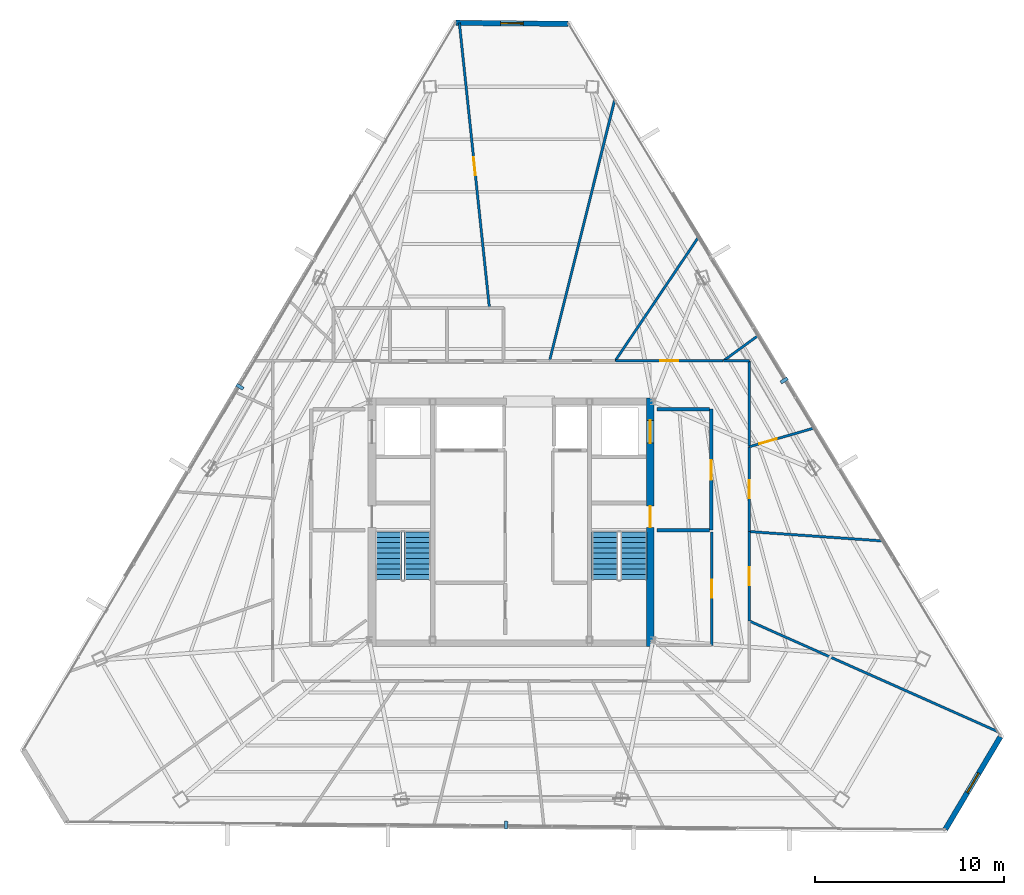
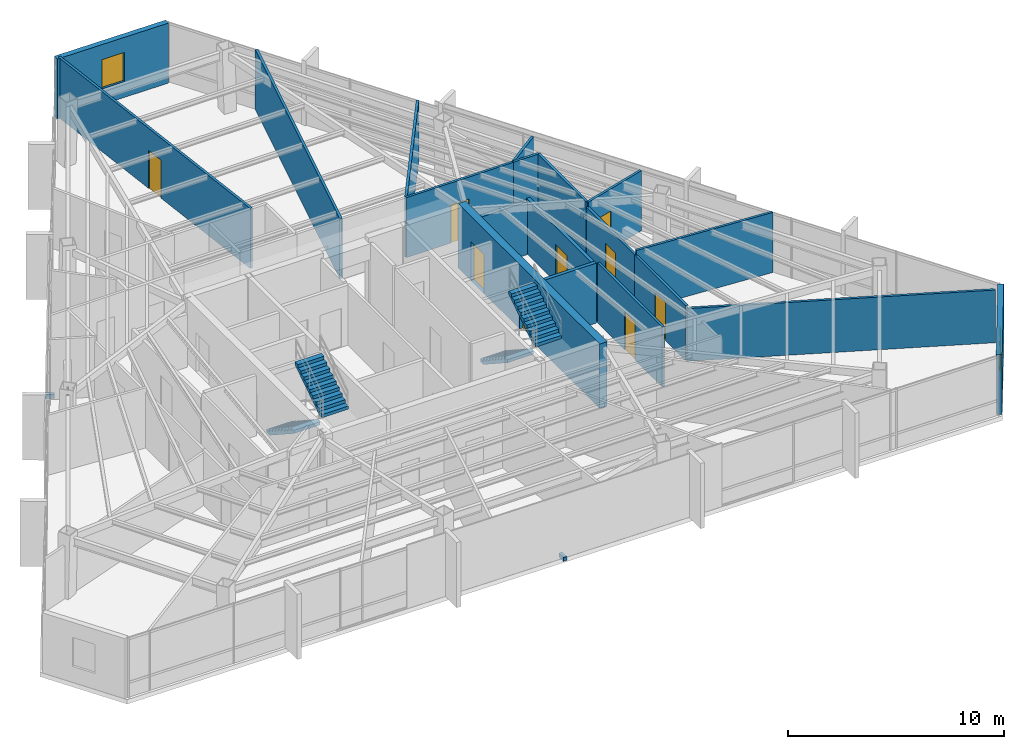
# One storey, part 43 of 46: 19 walls, 9 doors, 4 stair flights, 3 discrete accessories, 2 windows, 11 openings, 2 elements without a shape of their own.
"""IFC4 building model written with IfcOpenShell, lengths in metres."""

from ifc_helpers import new_model, si_unit, direction, frame, frame_2d, origin, origin_2d, place, context, subcontext, project, spatial, polyline, rectangle, outline, extrude, source, transform, mapped, material, layer, layer_set, type_object, type_shapes, element, fill, aggregate, save


model = new_model("IFC4")

# Units and contexts
model_context = context("Model", 3, precision=1e-05, world=origin(), true_north=direction((0.0, 1.0)))
body_context = subcontext(model_context, "Body", "Model", "MODEL_VIEW")
ifc_project = project(units=[si_unit("LENGTHUNIT", "METRE"), si_unit("AREAUNIT", "SQUARE_METRE"), si_unit("VOLUMEUNIT", "CUBIC_METRE"), si_unit("PLANEANGLEUNIT", "RADIAN"), si_unit("MASSUNIT", "GRAM", prefix="KILO")], contexts=[model_context])

# Site, building, storey
site_placement = place(None, origin())
site = spatial("IfcSite", under=ifc_project, at=site_placement, CompositionType="ELEMENT")
building_placement = place(site_placement, origin())
building = spatial("IfcBuilding", under=site, at=building_placement, Name="Caelisora Broadcast Tower", CompositionType="ELEMENT")
storey_placement = place(building_placement, frame((0.0, 0.0, 237.14990234375)))
storey = spatial("IfcBuildingStorey", under=building, at=storey_placement, Name="L62", CompositionType="ELEMENT", Elevation=237.14990234375)

# Wall, openings, doors
ifc_material_1 = material(Name="Concrete 40 MPa (AS 3600 N40)", Category="concrete")
ifc_layer_1 = layer(ifc_material_1, 0.39990234375, Name="Concrete 40 MPa (AS 3600 N40)")
ifc_layer_set_1 = layer_set([ifc_layer_1], Name="Concrete 40 MPa (AS 3600 N40)")
wall_type_1 = type_object("IfcWallType", Name="CW3", PredefinedType="SHEAR", material=ifc_layer_set_1)
wall_1_placement = place(storey_placement, frame((45.360107421875, 17.050048828125, 0.0), z_axis=(0.0, 0.0, 1.0), x_axis=(0.0, 1.0, 0.0)))
wall_1 = element("IfcWall", 1, at=wall_1_placement, inside=storey, type_object=wall_type_1, Name="L62 core shear wall CW3", PredefinedType="SHEAR", context=body_context, shape_type="SweptSolid", body=[
    extrude(rectangle(XDim=13.125, YDim=0.39990234375, at=frame_2d((6.5625, 0.0))), origin(), (0.0, 0.0, 1.0), 3.650146484375),
])
opening_1_placement = place(wall_1_placement, frame((6.300048828125, 0.0, 0.0)))
opening_1 = element("IfcOpeningElement", 2, at=opening_1_placement, cuts=wall_1, Name="Opening FD04", PredefinedType="OPENING", context=body_context, shape_type="SweptSolid", body=[
    extrude(rectangle(XDim=1.1201171875, YDim=2.14990234375, at=frame_2d((0.56005859375, 1.074951171875))), frame((0.0, 0.2119140625, 0.0), z_axis=(0.0, -1.0, 0.0), x_axis=(1.0, 0.0, 0.0)), (0.0, 0.0, 1.0), 0.423828125),
])
opening_2_placement = place(wall_1_placement, frame((10.75, 0.0, 0.0)))
opening_2 = element("IfcOpeningElement", 3, at=opening_2_placement, cuts=wall_1, Name="Opening LD04", PredefinedType="OPENING", context=body_context, shape_type="SweptSolid", body=[
    extrude(rectangle(XDim=1.199951171875, YDim=2.199951171875, at=frame_2d((0.60009765625, 1.10009765625))), frame((0.0, 0.2119140625, 0.0), z_axis=(0.0, -1.0, 0.0), x_axis=(1.0, 0.0, 0.0)), (0.0, 0.0, 1.0), 0.423828125),
])
ifc_material_2 = material(Name="Pressurised Fire-Isolated Stair Door", Category="steel")
door_type_1 = type_object("IfcDoorType", Name="FD04", OperationType="NOTDEFINED", PredefinedType="DOOR", material=ifc_material_2)
door_1_placement = place(opening_1_placement, origin())
door_1 = element("IfcDoor", 4, at=door_1_placement, inside=storey, type_object=door_type_1, Name="L62 door FD04 (L62-DR-ST2)", OperationType="SINGLE_SWING_RIGHT", OverallHeight=2.14990234375, OverallWidth=1.1201171875, PredefinedType="DOOR", context=body_context, shape_type="SweptSolid", body=[
    extrude(rectangle(XDim=1.1201171875, YDim=2.14990234375, at=frame_2d((0.56005859375, 1.074951171875))), frame((0.0, 0.02490234375, 0.0), z_axis=(0.0, -1.0, 0.0), x_axis=(1.0, 0.0, 0.0)), (0.0, 0.0, 1.0), 0.050048828125),
])
fill(opening_1, door_1)
ifc_material_3 = material(Name="Emergency Firefighting Lift Sliding Landing Door", Category="steel")
door_type_2 = type_object("IfcDoorType", Name="LD04", OperationType="NOTDEFINED", PredefinedType="DOOR", material=ifc_material_3)
door_2_placement = place(opening_2_placement, origin())
door_2 = element("IfcDoor", 5, at=door_2_placement, inside=storey, type_object=door_type_2, Name="L62 door LD04 (L62-LD-FFL2)", OperationType="SLIDING_TO_RIGHT", OverallHeight=2.199951171875, OverallWidth=1.199951171875, PredefinedType="DOOR", context=body_context, shape_type="SweptSolid", body=[
    extrude(rectangle(XDim=1.199951171875, YDim=2.199951171875, at=frame_2d((0.60009765625, 1.10009765625))), frame((0.0, 0.02490234375, 0.0), z_axis=(0.0, -1.0, 0.0), x_axis=(1.0, 0.0, 0.0)), (0.0, 0.0, 1.0), 0.050048828125),
])
fill(opening_2, door_2)

# Wall, opening, window
ifc_material_4 = material(Name="Insulated Terracotta Spandrel Wall System", Category="masonry")
ifc_layer_2 = layer(ifc_material_4, 0.280029296875, Name="Insulated Terracotta Spandrel Wall System")
ifc_layer_set_2 = layer_set([ifc_layer_2], Name="Insulated Terracotta Spandrel Wall System")
wall_type_2 = type_object("IfcWallType", Name="EW1", PredefinedType="STANDARD", material=ifc_layer_set_2)
wall_2_placement = place(storey_placement, frame((63.87060546875, 12.272216796875, 0.0), z_axis=(0.0, 0.0, 1.0), x_axis=(-0.510950256476, -0.85961028112, 0.0)))
wall_2 = element("IfcWall", 6, at=wall_2_placement, inside=storey, type_object=wall_type_2, Name="L62 exterior envelope wall EW1", PredefinedType="STANDARD", context=body_context, shape_type="SweptSolid", body=[
    extrude(rectangle(XDim=5.68798828125, YDim=0.280029296875, at=frame_2d((2.843994140625, 0.0))), origin(), (0.0, 0.0, 1.0), 3.400146484375),
])
opening_3_placement = place(wall_2_placement, frame((2.239990234375, 0.0, 0.89990234375)))
opening_3 = element("IfcOpeningElement", 7, at=opening_3_placement, cuts=wall_2, Name="Opening W03", PredefinedType="OPENING", context=body_context, shape_type="SweptSolid", body=[
    extrude(rectangle(XDim=1.199951171875, YDim=1.64990234375, at=frame_2d((0.60009765625, 0.824951171875))), frame((0.0, 0.152099609375, 0.0), z_axis=(0.0, -1.0, 0.0), x_axis=(1.0, 0.0, 0.0)), (0.0, 0.0, 1.0), 0.303955078125),
])
ifc_material_5 = material(Name="Double Glazed Corner Vision Window", Category="glass")
window_type = type_object("IfcWindowType", Name="W03", PartitioningType="SINGLE_PANEL", PredefinedType="WINDOW", material=ifc_material_5)
window_1_placement = place(opening_3_placement, origin())
window_1 = element("IfcWindow", 8, at=window_1_placement, inside=storey, type_object=window_type, Name="L62 window W03 (L62-WN-CH0)", OverallHeight=1.64990234375, OverallWidth=1.199951171875, PartitioningType="SINGLE_PANEL", PredefinedType="WINDOW", context=body_context, shape_type="SweptSolid", body=[
    extrude(rectangle(XDim=1.199951171875, YDim=1.64990234375, at=frame_2d((0.60009765625, 0.824951171875))), frame((0.0, 0.030029296875, 0.0), z_axis=(0.0, -1.0, 0.0), x_axis=(1.0, 0.0, 0.0)), (0.0, 0.0, 1.0), 0.06005859375),
])
fill(opening_3, window_1)

wall_3_placement = place(storey_placement, frame((35.087890625, 50.022705078125, 0.0), z_axis=(0.0, 0.0, 1.0), x_axis=(0.99996069628, -0.008865996524, 0.0)))
wall_3 = element("IfcWall", 9, at=wall_3_placement, inside=storey, type_object=wall_type_2, Name="L62 exterior envelope wall EW1", PredefinedType="STANDARD", context=body_context, shape_type="SweptSolid", body=[
    extrude(rectangle(XDim=5.92041015625, YDim=0.280029296875, at=frame_2d((2.960205078125, 0.0))), origin(), (0.0, 0.0, 1.0), 3.400146484375),
])
opening_4_placement = place(wall_3_placement, frame((2.360107421875, 0.0, 0.89990234375)))
opening_4 = element("IfcOpeningElement", 10, at=opening_4_placement, cuts=wall_3, Name="Opening W03", PredefinedType="OPENING", context=body_context, shape_type="SweptSolid", body=[
    extrude(rectangle(XDim=1.199951171875, YDim=1.64990234375, at=frame_2d((0.60009765625, 0.824951171875))), frame((0.0, 0.152099609375, 0.0), z_axis=(0.0, -1.0, 0.0), x_axis=(1.0, 0.0, 0.0)), (0.0, 0.0, 1.0), 0.303955078125),
])
window_2_placement = place(opening_4_placement, origin())
window_2 = element("IfcWindow", 11, at=window_2_placement, inside=storey, type_object=window_type, Name="L62 window W03 (L62-WN-CH8)", OverallHeight=1.64990234375, OverallWidth=1.199951171875, PartitioningType="SINGLE_PANEL", PredefinedType="WINDOW", context=body_context, shape_type="SweptSolid", body=[
    extrude(rectangle(XDim=1.199951171875, YDim=1.64990234375, at=frame_2d((0.60009765625, 0.824951171875))), frame((0.0, 0.030029296875, 0.0), z_axis=(0.0, -1.0, 0.0), x_axis=(1.0, 0.0, 0.0)), (0.0, 0.0, 1.0), 0.06005859375),
])
fill(opening_4, window_2)

# Wall, opening, door
ifc_material_6 = material(Name="Fire-Rated Gypsum Shaft and Compartment Wall", Category="gypsum")
ifc_layer_3 = layer(ifc_material_6, 0.179931640625, Name="Fire-Rated Gypsum Shaft and Compartment Wall")
ifc_layer_set_3 = layer_set([ifc_layer_3], Name="Fire-Rated Gypsum Shaft and Compartment Wall")
wall_type_3 = type_object("IfcWallType", Name="PW2", PredefinedType="PARTITIONING", material=ifc_layer_set_3)
wall_4_placement = place(storey_placement, frame((48.580078125, 23.199951171875, 0.0), z_axis=(0.0, 0.0, 1.0), x_axis=(0.0, 1.0, 0.0)))
wall_4 = element("IfcWall", 12, at=wall_4_placement, inside=storey, type_object=wall_type_3, Name="L62 fire compartment wall PW2", PredefinedType="PARTITIONING", context=body_context, shape_type="SweptSolid", body=[
    extrude(rectangle(XDim=6.400146484375, YDim=0.179931640625, at=frame_2d((3.2001953125, 0.0))), origin(), (0.0, 0.0, 1.0), 3.12890625),
])
opening_5_placement = place(wall_4_placement, frame((2.64990234375, 0.0, 0.0)))
opening_5 = element("IfcOpeningElement", 13, at=opening_5_placement, cuts=wall_4, Name="Opening FD02", PredefinedType="OPENING", context=body_context, shape_type="SweptSolid", body=[
    extrude(rectangle(XDim=1.050048828125, YDim=2.14990234375, at=frame_2d((0.52490234375, 1.074951171875))), frame((0.0, 0.10205078125, 0.0), z_axis=(0.0, -1.0, 0.0), x_axis=(1.0, 0.0, 0.0)), (0.0, 0.0, 1.0), 0.203857421875),
])
ifc_material_7 = material(Name="Single-Leaf Steel Fire Lobby Door", Category="steel")
door_type_3 = type_object("IfcDoorType", Name="FD02", OperationType="NOTDEFINED", PredefinedType="DOOR", material=ifc_material_7)
door_3_placement = place(opening_5_placement, origin())
door_3 = element("IfcDoor", 14, at=door_3_placement, inside=storey, type_object=door_type_3, Name="L62 door FD02 (L62-DR-P04D1)", OperationType="SINGLE_SWING_LEFT", OverallHeight=2.14990234375, OverallWidth=1.050048828125, PredefinedType="DOOR", context=body_context, shape_type="SweptSolid", body=[
    extrude(rectangle(XDim=1.050048828125, YDim=2.14990234375, at=frame_2d((0.52490234375, 1.074951171875))), frame((0.0, 0.02490234375, 0.0), z_axis=(0.0, -1.0, 0.0), x_axis=(1.0, 0.0, 0.0)), (0.0, 0.0, 1.0), 0.050048828125),
])
fill(opening_5, door_3)

# Walls
wall_5_placement = place(storey_placement, frame((45.719970703125, 23.199951171875, 0.0), z_axis=(0.0, 0.0, 1.0), x_axis=(1.0, 0.0, 0.0)))
element("IfcWall", 15, at=wall_5_placement, inside=storey, type_object=wall_type_3, Name="L62 fire compartment wall PW2", PredefinedType="PARTITIONING", context=body_context, shape_type="SweptSolid", body=[
    extrude(rectangle(XDim=2.760009765625, YDim=0.179931640625, at=frame_2d((1.3798828125, 0.0))), origin(), (0.0, 0.0, 1.0), 3.400146484375),
])
wall_6_placement = place(storey_placement, frame((45.719970703125, 29.60009765625, 0.0), z_axis=(0.0, 0.0, 1.0), x_axis=(1.0, 0.0, 0.0)))
element("IfcWall", 16, at=wall_6_placement, inside=storey, type_object=wall_type_3, Name="L62 fire compartment wall PW2", PredefinedType="PARTITIONING", context=body_context, shape_type="SweptSolid", body=[
    extrude(rectangle(XDim=2.760009765625, YDim=0.179931640625, at=frame_2d((1.3798828125, 0.0))), origin(), (0.0, 0.0, 1.0), 2.985107421875),
])

# Wall, opening, door
ifc_material_8 = material(Name="Acoustic Steel-Stud Plasterboard Partition", Category="gypsum")
ifc_layer_4 = layer(ifc_material_8, 0.1298828125, Name="Acoustic Steel-Stud Plasterboard Partition")
ifc_layer_set_4 = layer_set([ifc_layer_4], Name="Acoustic Steel-Stud Plasterboard Partition")
wall_type_4 = type_object("IfcWallType", Name="PW3", PredefinedType="PARTITIONING", material=ifc_layer_set_4)
wall_7_placement = place(storey_placement, frame((35.260009765625, 50.0263671875, 0.0), z_axis=(0.0, 0.0, 1.0), x_axis=(0.10485837101, -0.994487165342, 0.0)))
wall_7 = element("IfcWall", 17, at=wall_7_placement, inside=storey, type_object=wall_type_4, Name="L62 internal partition PW3", PredefinedType="PARTITIONING", context=body_context, shape_type="SweptSolid", body=[
    extrude(rectangle(XDim=15.15478515625, YDim=0.1298828125, at=frame_2d((7.577392578125, 0.0))), origin(), (0.0, 0.0, 1.0), 3.400146484375),
])
opening_6_placement = place(wall_7_placement, frame((7.14501953125, 0.0, 0.0)))
opening_6 = element("IfcOpeningElement", 18, at=opening_6_placement, cuts=wall_7, Name="Opening D01", PredefinedType="OPENING", context=body_context, shape_type="SweptSolid", body=[
    extrude(rectangle(XDim=0.9599609375, YDim=2.14990234375, at=frame_2d((0.47998046875, 1.074951171875))), frame((0.0, 0.076904296875, 0.0), z_axis=(0.0, -1.0, 0.0), x_axis=(1.0, 0.0, 0.0)), (0.0, 0.0, 1.0), 0.15380859375),
])
ifc_material_9 = material(Name="Solid-Core Timber Acoustic Office Door", Category="wood")
door_type_4 = type_object("IfcDoorType", Name="D01", OperationType="NOTDEFINED", PredefinedType="DOOR", material=ifc_material_9)
door_4_placement = place(opening_6_placement, origin())
door_4 = element("IfcDoor", 19, at=door_4_placement, inside=storey, type_object=door_type_4, Name="L62 door D01 (L62-DR-P27D1)", OperationType="SINGLE_SWING_RIGHT", OverallHeight=2.14990234375, OverallWidth=0.9599609375, PredefinedType="DOOR", context=body_context, shape_type="SweptSolid", body=[
    extrude(rectangle(XDim=0.9599609375, YDim=2.14990234375, at=frame_2d((0.47998046875, 1.074951171875))), frame((0.0, 0.02490234375, 0.0), z_axis=(0.0, -1.0, 0.0), x_axis=(1.0, 0.0, 0.0)), (0.0, 0.0, 1.0), 0.050048828125),
])
fill(opening_6, door_4)

# Walls
wall_8_placement = place(storey_placement, frame((50.60498046875, 18.387939453125, 0.0), z_axis=(0.0, 0.0, 1.0), x_axis=(0.913582532036, -0.406653362409, 0.0)))
element("IfcWall", 20, at=wall_8_placement, inside=storey, type_object=wall_type_4, Name="L62 internal partition PW3", PredefinedType="PARTITIONING", context=body_context, shape_type="SweptSolid", body=[
    extrude(rectangle(XDim=14.38427734375, YDim=0.1298828125, at=frame_2d((7.192138671875, 0.0))), origin(), (0.0, 0.0, 1.0), 2.985107421875),
])
wall_9_placement = place(storey_placement, frame((40.031005859375, 32.155029296875, 0.0), z_axis=(0.0, 0.0, 1.0), x_axis=(0.242224699254, 0.970220178656, 0.0)))
element("IfcWall", 21, at=wall_9_placement, inside=storey, type_object=wall_type_4, Name="L62 internal partition PW3", PredefinedType="PARTITIONING", context=body_context, shape_type="SweptSolid", body=[
    extrude(rectangle(XDim=14.2265625, YDim=0.1298828125, at=frame_2d((7.11328125, 0.0))), origin(), (0.0, 0.0, 1.0), 3.400146484375),
])
wall_10_placement = place(storey_placement, frame((43.5029296875, 32.154052734375, 0.0), z_axis=(0.0, 0.0, 1.0), x_axis=(0.558435135579, 0.829548189891, 0.0)))
element("IfcWall", 22, at=wall_10_placement, inside=storey, type_object=wall_type_4, Name="L62 internal partition PW3", PredefinedType="PARTITIONING", context=body_context, shape_type="SweptSolid", body=[
    extrude(rectangle(XDim=7.8623046875, YDim=0.1298828125, at=frame_2d((3.93115234375, 0.0))), origin(), (0.0, 0.0, 1.0), 3.400146484375),
])
wall_11_placement = place(storey_placement, frame((50.60498046875, 23.1201171875, 0.0), z_axis=(0.0, 0.0, 1.0), x_axis=(0.997552536432, -0.069920934339, 0.0)))
element("IfcWall", 23, at=wall_11_placement, inside=storey, type_object=wall_type_4, Name="L62 internal partition PW3", PredefinedType="PARTITIONING", context=body_context, shape_type="SweptSolid", body=[
    extrude(rectangle(XDim=7.039306640625, YDim=0.1298828125, at=frame_2d((3.51953125, 0.0))), origin(), (0.0, 0.0, 1.0), 3.400146484375),
])

# Wall, opening, door
wall_12_placement = place(storey_placement, frame((48.60009765625, 17.10498046875, 0.0), z_axis=(0.0, 0.0, 1.0), x_axis=(0.0, 1.0, 0.0)))
wall_12 = element("IfcWall", 24, at=wall_12_placement, inside=storey, type_object=wall_type_4, Name="L62 internal partition PW3", PredefinedType="PARTITIONING", context=body_context, shape_type="SweptSolid", body=[
    extrude(rectangle(XDim=6.0, YDim=0.1298828125, at=frame_2d((3.0, 0.0))), origin(), (0.0, 0.0, 1.0), 3.400146484375),
])
opening_7_placement = place(wall_12_placement, frame((2.52001953125, 0.0, 0.0)))
opening_7 = element("IfcOpeningElement", 25, at=opening_7_placement, cuts=wall_12, Name="Opening D01", PredefinedType="OPENING", context=body_context, shape_type="SweptSolid", body=[
    extrude(rectangle(XDim=0.9599609375, YDim=2.14990234375, at=frame_2d((0.47998046875, 1.074951171875))), frame((0.0, 0.076904296875, 0.0), z_axis=(0.0, -1.0, 0.0), x_axis=(1.0, 0.0, 0.0)), (0.0, 0.0, 1.0), 0.15380859375),
])
door_5_placement = place(opening_7_placement, origin())
door_5 = element("IfcDoor", 26, at=door_5_placement, inside=storey, type_object=door_type_4, Name="L62 door D01 (L62-DR-P44D1)", OperationType="SINGLE_SWING_RIGHT", OverallHeight=2.14990234375, OverallWidth=0.9599609375, PredefinedType="DOOR", context=body_context, shape_type="SweptSolid", body=[
    extrude(rectangle(XDim=0.9599609375, YDim=2.14990234375, at=frame_2d((0.47998046875, 1.074951171875))), frame((0.0, 0.02490234375, 0.0), z_axis=(0.0, -1.0, 0.0), x_axis=(1.0, 0.0, 0.0)), (0.0, 0.0, 1.0), 0.050048828125),
])
fill(opening_7, door_5)

wall_13_placement = place(storey_placement, frame((43.5048828125, 32.14990234375, 0.0), z_axis=(0.0, 0.0, 1.0), x_axis=(1.0, 0.0, 0.0)))
wall_13 = element("IfcWall", 27, at=wall_13_placement, inside=storey, type_object=wall_type_4, Name="L62 internal partition PW3", PredefinedType="PARTITIONING", context=body_context, shape_type="SweptSolid", body=[
    extrude(rectangle(XDim=5.710205078125, YDim=0.1298828125, at=frame_2d((2.85498046875, 0.0))), origin(), (0.0, 0.0, 1.0), 3.400146484375),
])
opening_8_placement = place(wall_13_placement, frame((2.375, 0.0, 0.0)))
opening_8 = element("IfcOpeningElement", 28, at=opening_8_placement, cuts=wall_13, Name="Opening D01", PredefinedType="OPENING", context=body_context, shape_type="SweptSolid", body=[
    extrude(rectangle(XDim=0.9599609375, YDim=2.14990234375, at=frame_2d((0.47998046875, 1.074951171875))), frame((0.0, 0.076904296875, 0.0), z_axis=(0.0, -1.0, 0.0), x_axis=(1.0, 0.0, 0.0)), (0.0, 0.0, 1.0), 0.15380859375),
])
door_6_placement = place(opening_8_placement, origin())
door_6 = element("IfcDoor", 29, at=door_6_placement, inside=storey, type_object=door_type_4, Name="L62 door D01 (L62-DR-P45D1)", OperationType="SINGLE_SWING_LEFT", OverallHeight=2.14990234375, OverallWidth=0.9599609375, PredefinedType="DOOR", context=body_context, shape_type="SweptSolid", body=[
    extrude(rectangle(XDim=0.9599609375, YDim=2.14990234375, at=frame_2d((0.47998046875, 1.074951171875))), frame((0.0, 0.02490234375, 0.0), z_axis=(0.0, -1.0, 0.0), x_axis=(1.0, 0.0, 0.0)), (0.0, 0.0, 1.0), 0.050048828125),
])
fill(opening_8, door_6)

wall_14_placement = place(storey_placement, frame((50.60009765625, 18.39501953125, 0.0), z_axis=(0.0, 0.0, 1.0), x_axis=(0.0, 1.0, 0.0)))
wall_14 = element("IfcWall", 30, at=wall_14_placement, inside=storey, type_object=wall_type_4, Name="L62 internal partition PW3", PredefinedType="PARTITIONING", context=body_context, shape_type="SweptSolid", body=[
    extrude(rectangle(XDim=4.719970703125, YDim=0.1298828125, at=frame_2d((2.35986328125, 0.0))), origin(), (0.0, 0.0, 1.0), 3.12890625),
])
opening_9_placement = place(wall_14_placement, frame((1.8798828125, 0.0, 0.0)))
opening_9 = element("IfcOpeningElement", 31, at=opening_9_placement, cuts=wall_14, Name="Opening D01", PredefinedType="OPENING", context=body_context, shape_type="SweptSolid", body=[
    extrude(rectangle(XDim=0.9599609375, YDim=2.14990234375, at=frame_2d((0.47998046875, 1.074951171875))), frame((0.0, 0.076904296875, 0.0), z_axis=(0.0, -1.0, 0.0), x_axis=(1.0, 0.0, 0.0)), (0.0, 0.0, 1.0), 0.15380859375),
])
door_7_placement = place(opening_9_placement, origin())
door_7 = element("IfcDoor", 32, at=door_7_placement, inside=storey, type_object=door_type_4, Name="L62 door D01 (L62-DR-P49D1)", OperationType="SINGLE_SWING_RIGHT", OverallHeight=2.14990234375, OverallWidth=0.9599609375, PredefinedType="DOOR", context=body_context, shape_type="SweptSolid", body=[
    extrude(rectangle(XDim=0.9599609375, YDim=2.14990234375, at=frame_2d((0.47998046875, 1.074951171875))), frame((0.0, 0.02490234375, 0.0), z_axis=(0.0, -1.0, 0.0), x_axis=(1.0, 0.0, 0.0)), (0.0, 0.0, 1.0), 0.050048828125),
])
fill(opening_9, door_7)

# Wall
wall_15_placement = place(storey_placement, frame((50.60009765625, 27.614990234375, 0.0), z_axis=(0.0, 0.0, 1.0), x_axis=(0.0, 1.0, 0.0)))
element("IfcWall", 33, at=wall_15_placement, inside=storey, type_object=wall_type_4, Name="L62 internal partition PW3", PredefinedType="PARTITIONING", context=body_context, shape_type="SweptSolid", body=[
    extrude(rectangle(XDim=4.530029296875, YDim=0.1298828125, at=frame_2d((2.26513671875, 0.0))), origin(), (0.0, 0.0, 1.0), 3.400146484375),
])

# Wall, opening, door
wall_16_placement = place(storey_placement, frame((50.60009765625, 23.125, 0.0), z_axis=(0.0, 0.0, 1.0), x_axis=(0.0, 1.0, 0.0)))
wall_16 = element("IfcWall", 34, at=wall_16_placement, inside=storey, type_object=wall_type_4, Name="L62 internal partition PW3", PredefinedType="PARTITIONING", context=body_context, shape_type="SweptSolid", body=[
    extrude(rectangle(XDim=4.47998046875, YDim=0.1298828125, at=frame_2d((2.239990234375, 0.0))), origin(), (0.0, 0.0, 1.0), 3.12890625),
])
opening_10_placement = place(wall_16_placement, frame((1.760009765625, 0.0, 0.0)))
opening_10 = element("IfcOpeningElement", 35, at=opening_10_placement, cuts=wall_16, Name="Opening D01", PredefinedType="OPENING", context=body_context, shape_type="SweptSolid", body=[
    extrude(rectangle(XDim=0.9599609375, YDim=2.14990234375, at=frame_2d((0.47998046875, 1.074951171875))), frame((0.0, 0.076904296875, 0.0), z_axis=(0.0, -1.0, 0.0), x_axis=(1.0, 0.0, 0.0)), (0.0, 0.0, 1.0), 0.15380859375),
])
door_8_placement = place(opening_10_placement, origin())
door_8 = element("IfcDoor", 36, at=door_8_placement, inside=storey, type_object=door_type_4, Name="L62 door D01 (L62-DR-P52D1)", OperationType="SINGLE_SWING_RIGHT", OverallHeight=2.14990234375, OverallWidth=0.9599609375, PredefinedType="DOOR", context=body_context, shape_type="SweptSolid", body=[
    extrude(rectangle(XDim=0.9599609375, YDim=2.14990234375, at=frame_2d((0.47998046875, 1.074951171875))), frame((0.0, 0.02490234375, 0.0), z_axis=(0.0, -1.0, 0.0), x_axis=(1.0, 0.0, 0.0)), (0.0, 0.0, 1.0), 0.050048828125),
])
fill(opening_10, door_8)

wall_17_placement = place(storey_placement, frame((50.60498046875, 27.611083984375, 0.0), z_axis=(0.0, 0.0, 1.0), x_axis=(0.960781936219, 0.277305014442, 0.0)))
wall_17 = element("IfcWall", 37, at=wall_17_placement, inside=storey, type_object=wall_type_4, Name="L62 internal partition PW3", PredefinedType="PARTITIONING", context=body_context, shape_type="SweptSolid", body=[
    extrude(rectangle(XDim=3.542724609375, YDim=0.1298828125, at=frame_2d((1.771484375, 0.0))), origin(), (0.0, 0.0, 1.0), 3.400146484375),
])
opening_11_placement = place(wall_17_placement, frame((0.5400390625, 0.0, 0.0)))
opening_11 = element("IfcOpeningElement", 38, at=opening_11_placement, cuts=wall_17, Name="Opening D01", PredefinedType="OPENING", context=body_context, shape_type="SweptSolid", body=[
    extrude(rectangle(XDim=0.9599609375, YDim=2.14990234375, at=frame_2d((0.47998046875, 1.074951171875))), frame((0.0, 0.076904296875, 0.0), z_axis=(0.0, -1.0, 0.0), x_axis=(1.0, 0.0, 0.0)), (0.0, 0.0, 1.0), 0.15380859375),
])
door_9_placement = place(opening_11_placement, origin())
door_9 = element("IfcDoor", 39, at=door_9_placement, inside=storey, type_object=door_type_4, Name="L62 door D01 (L62-DR-P55D1)", OperationType="SINGLE_SWING_LEFT", OverallHeight=2.14990234375, OverallWidth=0.9599609375, PredefinedType="DOOR", context=body_context, shape_type="SweptSolid", body=[
    extrude(rectangle(XDim=0.9599609375, YDim=2.14990234375, at=frame_2d((0.47998046875, 1.074951171875))), frame((0.0, 0.02490234375, 0.0), z_axis=(0.0, -1.0, 0.0), x_axis=(1.0, 0.0, 0.0)), (0.0, 0.0, 1.0), 0.050048828125),
])
fill(opening_11, door_9)

# Walls
wall_18_placement = place(storey_placement, frame((49.22412109375, 32.153076171875, 0.0), z_axis=(0.0, 0.0, 1.0), x_axis=(0.809138937837, 0.587617374893, 0.0)))
element("IfcWall", 40, at=wall_18_placement, inside=storey, type_object=wall_type_4, Name="L62 internal partition PW3", PredefinedType="PARTITIONING", context=body_context, shape_type="SweptSolid", body=[
    extrude(rectangle(XDim=2.252685546875, YDim=0.1298828125, at=frame_2d((1.12646484375, 0.0))), origin(), (0.0, 0.0, 1.0), 3.400146484375),
])
wall_19_placement = place(storey_placement, frame((50.594970703125, 32.14990234375, 0.0), z_axis=(0.0, 0.0, 1.0), x_axis=(-1.0, 0.0, 0.0)))
element("IfcWall", 41, at=wall_19_placement, inside=storey, type_object=wall_type_4, Name="L62 internal partition PW3", PredefinedType="PARTITIONING", context=body_context, shape_type="SweptSolid", body=[
    extrude(rectangle(XDim=1.369873046875, YDim=0.1298828125, at=frame_2d((0.68505859375, 0.0))), origin(), (0.0, 0.0, 1.0), 3.400146484375),
])

# Stair, stair flights
stair_type_1 = type_object("IfcStairType", Name="ST-1", PredefinedType="HALF_TURN_STAIR", material=ifc_material_1)
stair_1_placement = place(storey_placement, origin())
stair_1 = element("IfcStair", 42, at=stair_1_placement, inside=storey, type_object=stair_type_1, Name="L62 West Fire-Isolated Tower Stair", PredefinedType="HALF_TURN_STAIR")
stair_flight_type = type_object("IfcStairFlightType", Name="STF-4", PredefinedType="STRAIGHT", material=ifc_material_1)
stair_flight_1_placement = place(storey_placement, frame((31.52001953125, 23.10009765625, 0.0), z_axis=(0.0, 0.0, 1.0), x_axis=(0.0, -1.0, 0.0)))
stair_flight_1 = element("IfcStairFlight", 43, at=stair_flight_1_placement, type_object=stair_flight_type, Name="ST-1 flight 1", NumberOfRisers=10, NumberOfTreads=9, PredefinedType="STRAIGHT", RiserHeight=0.1825, TreadLength=0.28, context=body_context, shape_type="SweptSolid", body=[
    extrude(outline(polyline([(0.0, 0.0), (0.0, 0.1826171875), (0.280029296875, 0.1826171875), (0.280029296875, 0.364990234375), (0.56005859375, 0.364990234375), (0.56005859375, 0.547607421875), (0.840087890625, 0.547607421875), (0.840087890625, 0.72998046875), (1.1201171875, 0.72998046875), (1.1201171875, 0.91259765625), (1.39990234375, 0.91259765625), (1.39990234375, 1.094970703125), (1.679931640625, 1.094970703125), (1.679931640625, 1.277587890625), (1.9599609375, 1.277587890625), (1.9599609375, 1.4599609375), (2.239990234375, 1.4599609375), (2.239990234375, 1.642578125), (2.52001953125, 1.642578125), (2.52001953125, 1.824951171875), (2.52001953125, 1.463623046875), (0.2744140625, 0.0), (0.0, 0.0)])), frame((0.0, 0.699951171875, 0.0), z_axis=(0.0, -1.0, 0.0), x_axis=(1.0, 0.0, 0.0)), (0.0, 0.0, 1.0), 1.39990234375),
])
stair_flight_2_placement = place(storey_placement, frame((33.0400390625, 20.580078125, 1.8251953125), z_axis=(0.0, 0.0, 1.0), x_axis=(0.0, 1.0, 0.0)))
stair_flight_2 = element("IfcStairFlight", 44, at=stair_flight_2_placement, type_object=stair_flight_type, Name="ST-1 flight 2", NumberOfRisers=10, NumberOfTreads=9, PredefinedType="STRAIGHT", RiserHeight=0.1825, TreadLength=0.28, context=body_context, shape_type="SweptSolid", body=[
    extrude(outline(polyline([(0.0, 0.0), (0.0, 0.1826171875), (0.280029296875, 0.1826171875), (0.280029296875, 0.364990234375), (0.56005859375, 0.364990234375), (0.56005859375, 0.547607421875), (0.840087890625, 0.547607421875), (0.840087890625, 0.72998046875), (1.1201171875, 0.72998046875), (1.1201171875, 0.91259765625), (1.39990234375, 0.91259765625), (1.39990234375, 1.094970703125), (1.679931640625, 1.094970703125), (1.679931640625, 1.277587890625), (1.9599609375, 1.277587890625), (1.9599609375, 1.4599609375), (2.239990234375, 1.4599609375), (2.239990234375, 1.642578125), (2.52001953125, 1.642578125), (2.52001953125, 1.824951171875), (2.52001953125, 1.463623046875), (0.2744140625, 0.0), (0.0, 0.0)])), frame((0.0, 0.699951171875, 0.0), z_axis=(0.0, -1.0, 0.0), x_axis=(1.0, 0.0, 0.0)), (0.0, 0.0, 1.0), 1.39990234375),
])
aggregate(stair_1, [stair_flight_1, stair_flight_2])

stair_type_2 = type_object("IfcStairType", Name="ST-2", PredefinedType="HALF_TURN_STAIR", material=ifc_material_1)
stair_2_placement = place(storey_placement, origin())
stair_2 = element("IfcStair", 45, at=stair_2_placement, inside=storey, type_object=stair_type_2, Name="L62 East Fire-Isolated Tower Stair", PredefinedType="HALF_TURN_STAIR")
stair_flight_3_placement = place(storey_placement, frame((42.9599609375, 23.10009765625, 0.0), z_axis=(0.0, 0.0, 1.0), x_axis=(0.0, -1.0, 0.0)))
stair_flight_3 = element("IfcStairFlight", 46, at=stair_flight_3_placement, type_object=stair_flight_type, Name="ST-2 flight 1", NumberOfRisers=10, NumberOfTreads=9, PredefinedType="STRAIGHT", RiserHeight=0.1825, TreadLength=0.28, context=body_context, shape_type="SweptSolid", body=[
    extrude(outline(polyline([(0.0, 0.0), (0.0, 0.1826171875), (0.280029296875, 0.1826171875), (0.280029296875, 0.364990234375), (0.56005859375, 0.364990234375), (0.56005859375, 0.547607421875), (0.840087890625, 0.547607421875), (0.840087890625, 0.72998046875), (1.1201171875, 0.72998046875), (1.1201171875, 0.91259765625), (1.39990234375, 0.91259765625), (1.39990234375, 1.094970703125), (1.679931640625, 1.094970703125), (1.679931640625, 1.277587890625), (1.9599609375, 1.277587890625), (1.9599609375, 1.4599609375), (2.239990234375, 1.4599609375), (2.239990234375, 1.642578125), (2.52001953125, 1.642578125), (2.52001953125, 1.824951171875), (2.52001953125, 1.463623046875), (0.2744140625, 0.0), (0.0, 0.0)])), frame((0.0, 0.699951171875, 0.0), z_axis=(0.0, -1.0, 0.0), x_axis=(1.0, 0.0, 0.0)), (0.0, 0.0, 1.0), 1.39990234375),
])
stair_flight_4_placement = place(storey_placement, frame((44.47998046875, 20.580078125, 1.8251953125), z_axis=(0.0, 0.0, 1.0), x_axis=(0.0, 1.0, 0.0)))
stair_flight_4 = element("IfcStairFlight", 47, at=stair_flight_4_placement, type_object=stair_flight_type, Name="ST-2 flight 2", NumberOfRisers=10, NumberOfTreads=9, PredefinedType="STRAIGHT", RiserHeight=0.1825, TreadLength=0.28, context=body_context, shape_type="SweptSolid", body=[
    extrude(outline(polyline([(0.0, 0.0), (0.0, 0.1826171875), (0.280029296875, 0.1826171875), (0.280029296875, 0.364990234375), (0.56005859375, 0.364990234375), (0.56005859375, 0.547607421875), (0.840087890625, 0.547607421875), (0.840087890625, 0.72998046875), (1.1201171875, 0.72998046875), (1.1201171875, 0.91259765625), (1.39990234375, 0.91259765625), (1.39990234375, 1.094970703125), (1.679931640625, 1.094970703125), (1.679931640625, 1.277587890625), (1.9599609375, 1.277587890625), (1.9599609375, 1.4599609375), (2.239990234375, 1.4599609375), (2.239990234375, 1.642578125), (2.52001953125, 1.642578125), (2.52001953125, 1.824951171875), (2.52001953125, 1.463623046875), (0.2744140625, 0.0), (0.0, 0.0)])), frame((0.0, 0.699951171875, 0.0), z_axis=(0.0, -1.0, 0.0), x_axis=(1.0, 0.0, 0.0)), (0.0, 0.0, 1.0), 1.39990234375),
])
aggregate(stair_2, [stair_flight_3, stair_flight_4])

# Discrete accessories
ifc_material_10 = material(Name="Steel Grade 350 (AS/NZS 3679.1)", Category="steel")
discrete_accessory_type = type_object("IfcDiscreteAccessoryType", Name="BRK-1", PredefinedType="BRACKET", material=ifc_material_10)
shared_shape = source(origin(), body_context, "Body", "SweptSolid", [
    extrude(rectangle(XDim=0.179931640625, YDim=0.419921875, at=origin_2d()), origin(), (0.0, 0.0, 1.0), 0.219970703125),
])
type_shapes(discrete_accessory_type, [shared_shape])
for number, where, z_axis, x_axis, name in (
    (48, (23.65478515625, 30.779052734375, -0.15966796875), (0.0, 0.0, 1.0), (-0.510993065504, -0.859584834096, 0.0), "L62 solar screen outrigger bracket #1"),
    (49, (37.728515625, 7.594482421875, -0.15966796875), (0.0, 0.0, 1.0), (0.999960384766, -0.008901061644, 0.0), "L62 solar screen outrigger bracket #2"),
    (50, (52.43798828125, 31.11572265625, -0.15966796875), (0.0, 0.0, 1.0), (-0.51862403999, 0.855002400666, 0.0), "L62 solar screen outrigger bracket #3"),
):
    element("IfcDiscreteAccessory", number, at=place(storey_placement, frame(where, z_axis=z_axis, x_axis=x_axis)), inside=storey, type_object=discrete_accessory_type, Name=name, PredefinedType="BRACKET", context=body_context, shape_type="MappedRepresentation", body=[
        mapped(shared_shape, transform((0.0, 0.0, 0.0), scale=1.0)),
    ])

save(model, "model.ifc")
